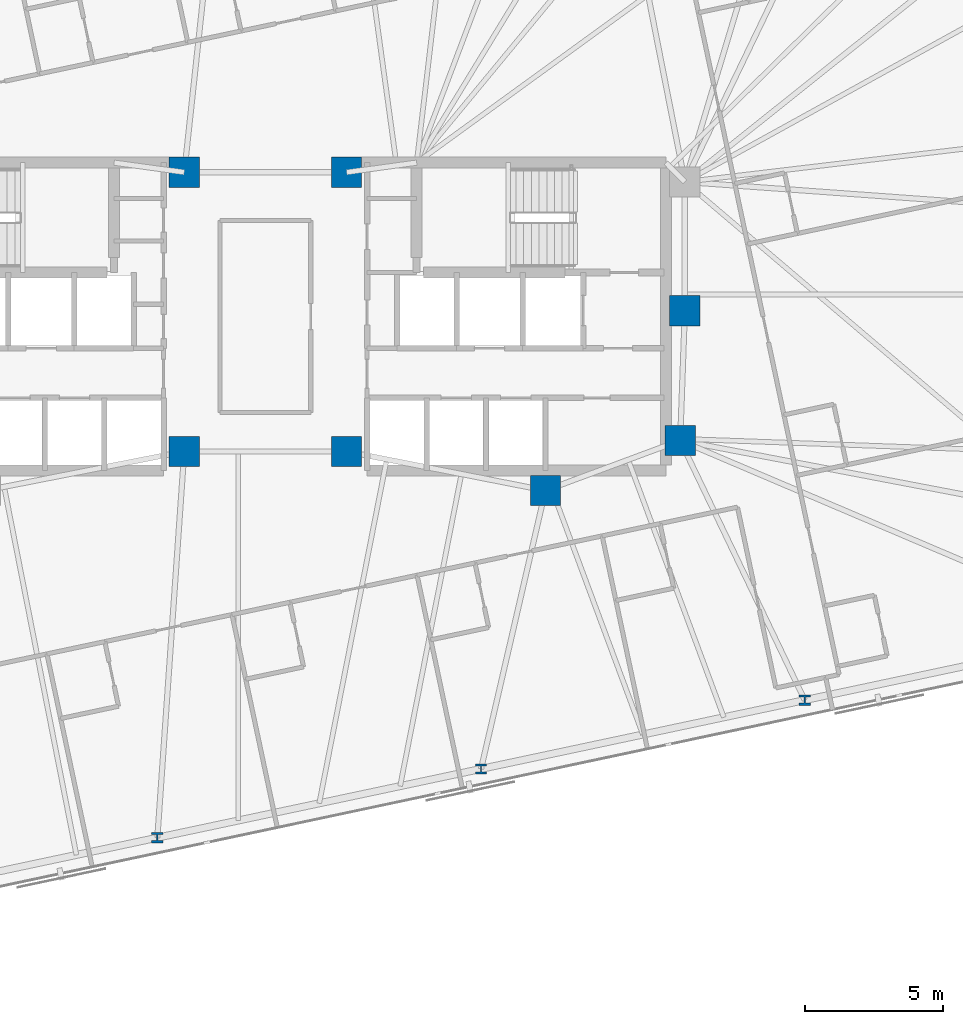
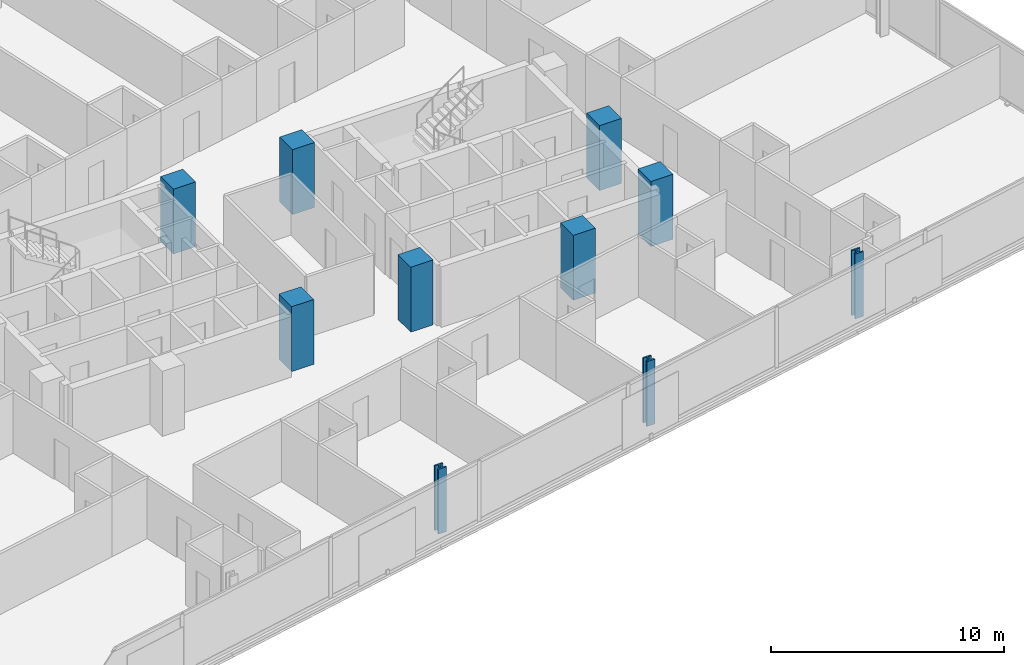
# One storey, part 3 of 20: 10 columns.
"""IFC4 building model written with IfcOpenShell, lengths in metres."""

from ifc_helpers import new_model, si_unit, direction, frame, origin, origin_2d, place, context, subcontext, project, spatial, rectangle, i_section, extrude, material, material_profile, profile_set, type_object, element, save


model = new_model("IFC4")

# Units and contexts
model_context = context("Model", 3, precision=1e-05, world=origin(), true_north=direction((0.0, 1.0)))
body_context = subcontext(model_context, "Body", "Model", "MODEL_VIEW")
ifc_project = project(units=[si_unit("LENGTHUNIT", "METRE"), si_unit("AREAUNIT", "SQUARE_METRE"), si_unit("VOLUMEUNIT", "CUBIC_METRE"), si_unit("PLANEANGLEUNIT", "RADIAN"), si_unit("MASSUNIT", "GRAM", prefix="KILO")], contexts=[model_context])

# Site, building, storey
site_placement = place(None, origin())
site = spatial("IfcSite", under=ifc_project, at=site_placement, CompositionType="ELEMENT")
building_placement = place(site_placement, origin())
building = spatial("IfcBuilding", under=site, at=building_placement, Name="Menara Jurai Vektor", CompositionType="ELEMENT")
storey_placement = place(building_placement, frame((0.0, 0.0, 178.60009765625)))
storey = spatial("IfcBuildingStorey", under=building, at=storey_placement, Name="L46", CompositionType="ELEMENT", Elevation=178.60009765625)

# Columns
ifc_material_1 = material(Name="Concrete C50/60", Category="concrete")
ifc_material_profile_1 = material_profile(ifc_material_1, rectangle(XDim=1.10009765625, YDim=1.10009765625, at=origin_2d()), Name="RC 1100x1100")
ifc_profile_set_1 = profile_set([ifc_material_profile_1], Name="Concrete C50/60")
column_type_1 = type_object("IfcColumnType", Name="STR-COL-RC1100", PredefinedType="COLUMN", material=ifc_profile_set_1)
for number, where, z_axis, x_axis, name in (
    (1, (-2.949951171875, -4.89990234375, 0.0), (0.0, 0.0, 1.0), (1.0, 0.0, 0.0), "Core Spine Column CW-SE L46"),
    (2, (-2.949951171875, 5.25, 0.0), (0.0, 0.0, 1.0), (1.0, 0.0, 0.0), "Core Spine Column CW-NE L46"),
    (3, (15.25, 0.219970703125, 0.0), (0.0, 0.0, 1.0), (1.0, 0.0, 0.0), "Core Spine Column CE-EM L46"),
    (4, (15.080078125, -4.5, 0.0), (0.0, 0.0, 1.0), (1.0, 0.0, 0.0), "Core Spine Column CE-SE L46"),
    (5, (10.179931640625, -6.320068359375, 0.0), (0.0, 0.0, 1.0), (1.0, 0.0, 0.0), "Core Spine Column CE-SM L46"),
    (6, (2.949951171875, -4.89990234375, 0.0), (0.0, 0.0, 1.0), (1.0, 0.0, 0.0), "Core Spine Column CE-SW L46"),
    (7, (2.949951171875, 5.25, 0.0), (0.0, 0.0, 1.0), (1.0, 0.0, 0.0), "Core Spine Column CE-NW L46"),
):
    element("IfcColumn", number, at=place(storey_placement, frame(where, z_axis=z_axis, x_axis=x_axis)), inside=storey, type_object=column_type_1, Name=name, PredefinedType="COLUMN", context=body_context, shape_type="SweptSolid", body=[
        extrude(rectangle(XDim=1.10009765625, YDim=1.10009765625, at=origin_2d()), origin(), (0.0, 0.0, 1.0), 3.39990234375),
    ])
ifc_material_2 = material(Name="Steel S460", Category="steel")
ifc_material_profile_2 = material_profile(ifc_material_2, i_section(OverallWidth=0.408935546875, OverallDepth=0.3740234375, WebThickness=0.048095703125, FlangeThickness=0.076904296875, FilletRadius=0.014892578125, at=origin_2d()), Name="HD 400x634")
ifc_profile_set_2 = profile_set([ifc_material_profile_2], Name="Steel S460")
column_type_2 = type_object("IfcColumnType", Name="STR-EXO-BLK3", PredefinedType="COLUMN", material=ifc_profile_set_2)
for number, where, z_axis, x_axis, name in (
    (8, (-3.928466796875, -18.94287109375, 0.0), (0.0, 0.0, 1.0), (1.0, 0.0, 0.0), "Exoskeleton Column BLK3-S3 L46"),
    (9, (7.83984375, -16.44140625, 0.0), (0.0, 0.0, 1.0), (1.0, 0.0, 0.0), "Exoskeleton Column BLK3-S4 L46"),
    (10, (19.608154296875, -13.940185546875, 0.0), (0.0, 0.0, 1.0), (1.0, 0.0, 0.0), "Exoskeleton Column BLK3-S5 L46"),
):
    element("IfcColumn", number, at=place(storey_placement, frame(where, z_axis=z_axis, x_axis=x_axis)), inside=storey, type_object=column_type_2, Name=name, PredefinedType="COLUMN", context=body_context, shape_type="SweptSolid", body=[
        extrude(i_section(OverallWidth=0.408935546875, OverallDepth=0.3740234375, WebThickness=0.048095703125, FlangeThickness=0.076904296875, FilletRadius=0.014892578125, at=origin_2d()), origin(), (0.0, 0.0, 1.0), 3.39990234375),
    ])

save(model, "model.ifc")
